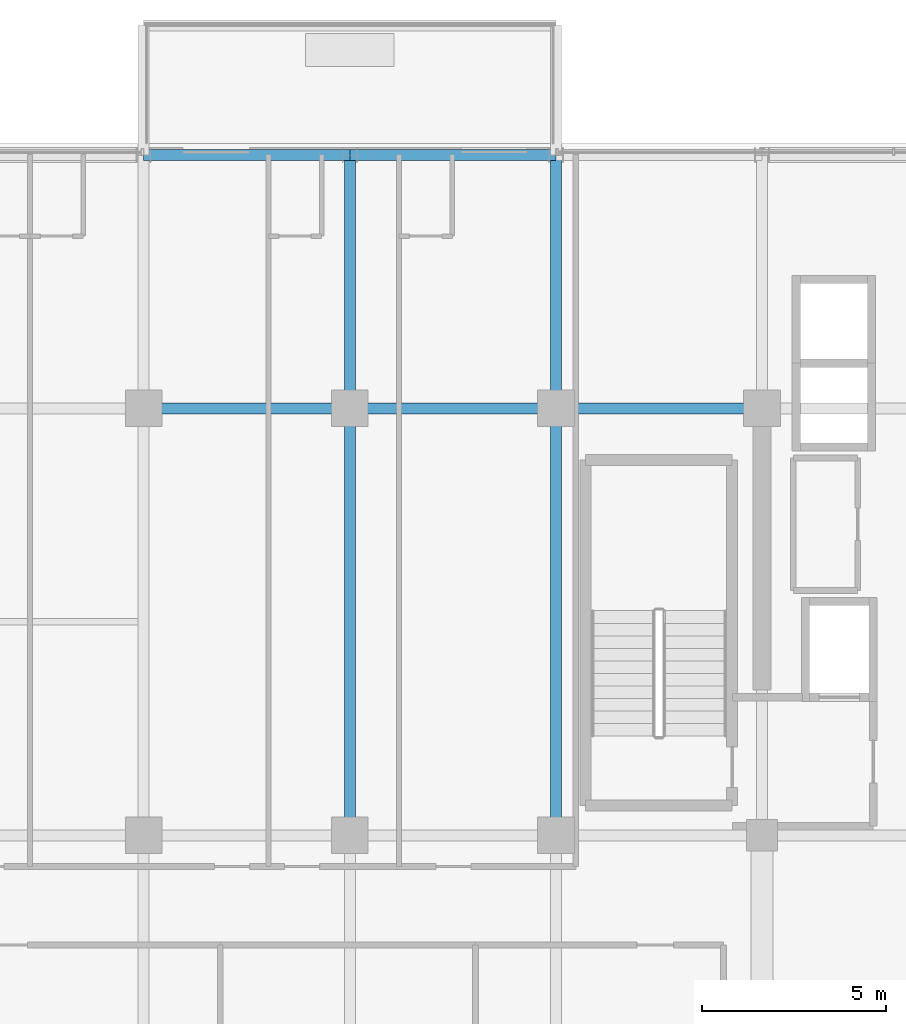
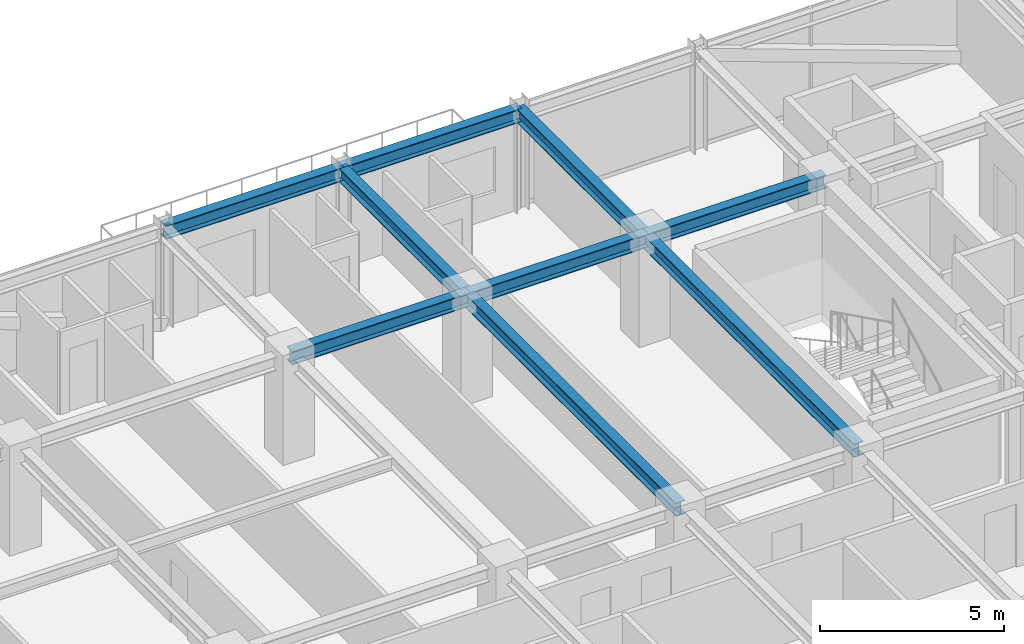
# One storey, part 22 of 43: 9 beams.
"""IFC4 building model written with IfcOpenShell, lengths in metres."""

import ifcopenshell
import ifcopenshell.guid

model = None  # the IFC model being written
_history = None  # IfcOwnerHistory: only IFC2X3 demands one
_inside = {}  # id of a spatial element -> (the spatial element, [elements in it])
_under = {}  # id of a project, library or spatial element -> (it, [spatial elements below it])
_declared = {}  # id of a project -> (the project, [libraries it declares])
_typed = {}  # id of a type object -> (the type object, [elements of that type])
_made_of = {}  # id of a material, layer set ... -> (it, [elements and type objects made of it])


def new_model(schema):
    """Start an empty IFC model of exactly this schema.

    Asked for "IFC4X3", IfcOpenShell would pick the latest addendum, in which some entities
    have other attributes; the version numbers below select the first issue.
    IFC2X3 requires an IfcOwnerHistory on every rooted entity: one is made here for all.
    """
    global model, _history
    if schema == "IFC4X3":
        model = ifcopenshell.file(schema_version=(4, 3, 0, 0))
    else:
        model = ifcopenshell.file(schema=schema)
    _inside.clear()
    _under.clear()
    _declared.clear()
    _typed.clear()
    _made_of.clear()
    _history = None
    if model.schema == "IFC2X3":
        org = make("IfcOrganization", Name="unknown")
        user = make(
            "IfcPersonAndOrganization",
            ThePerson=make("IfcPerson", FamilyName="unknown"),
            TheOrganization=org,
        )
        app = make(
            "IfcApplication",
            ApplicationDeveloper=org,
            Version="unknown",
            ApplicationFullName="unknown",
            ApplicationIdentifier="unknown",
        )
        _history = make(
            "IfcOwnerHistory",
            OwningUser=user,
            OwningApplication=app,
            ChangeAction="ADDED",
            CreationDate=0,
        )
    return model


def make(cls, **values):
    """One entity of the class cls with the attributes given. An attribute that is None is left unset."""
    return model.create_entity(
        cls, **{name: value for name, value in values.items() if value is not None}
    )


def rooted(cls, **values):
    """An entity with a GlobalId (a new one), such as an element, a storey or a relation."""
    return make(cls, GlobalId=ifcopenshell.guid.new(), OwnerHistory=_history, **values)


def si_unit(unit_type, name, prefix=None):
    """IfcSIUnit, for example si_unit("LENGTHUNIT", "METRE", prefix="MILLI")."""
    return make("IfcSIUnit", UnitType=unit_type, Prefix=prefix, Name=name)


def assignment(units):
    """IfcUnitAssignment: the units of a project."""
    return None if units is None else make("IfcUnitAssignment", Units=units)


def point(xyz):
    """IfcCartesianPoint."""
    return None if xyz is None else make("IfcCartesianPoint", Coordinates=xyz)


def direction(xyz):
    """IfcDirection."""
    return None if xyz is None else make("IfcDirection", DirectionRatios=xyz)


def frame(location, z_axis=None, x_axis=None):
    """IfcAxis2Placement3D, a coordinate frame: its origin and axes. An axis left out is left unset."""
    return make(
        "IfcAxis2Placement3D",
        Location=point(location),
        Axis=direction(z_axis),
        RefDirection=direction(x_axis),
    )


def frame_2d(location, x_axis=None):
    """IfcAxis2Placement2D, a coordinate frame in the plane: its origin and x axis."""
    return make(
        "IfcAxis2Placement2D", Location=point(location), RefDirection=direction(x_axis)
    )


def origin():
    """The frame at (0, 0, 0) with its axes left unset."""
    return frame((0.0, 0.0, 0.0))


def origin_2d():
    """The frame at (0, 0) in the plane with its x axis left unset."""
    return frame_2d((0.0, 0.0))


def place(relative_to, where):
    """IfcLocalPlacement: puts the frame where relative to a parent placement (None: the world)."""
    return make(
        "IfcLocalPlacement", PlacementRelTo=relative_to, RelativePlacement=where
    )


def context(
    kind, dimensions, precision=None, world=None, true_north=None, identifier=None
):
    """IfcGeometricRepresentationContext, for example the 3D "Model" context."""
    return make(
        "IfcGeometricRepresentationContext",
        ContextIdentifier=identifier,
        ContextType=kind,
        CoordinateSpaceDimension=dimensions,
        Precision=precision,
        WorldCoordinateSystem=world,
        TrueNorth=true_north,
    )


def subcontext(parent, identifier, kind, view, scale=None):
    """IfcGeometricRepresentationSubContext, for example "Body" below "Model"."""
    return make(
        "IfcGeometricRepresentationSubContext",
        ContextIdentifier=identifier,
        ContextType=kind,
        ParentContext=parent,
        TargetScale=scale,
        TargetView=view,
    )


def project(units=None, contexts=None):
    """IfcProject with its units and contexts."""
    return rooted(
        "IfcProject",
        Name="project",
        RepresentationContexts=contexts,
        UnitsInContext=assignment(units),
    )


def spatial(cls, under=None, at=None, **own):
    """A site, building, storey or space (cls), placed at a placement, below another one or the project."""
    s = rooted(cls, ObjectPlacement=at, **own)
    if under is not None:
        _under.setdefault(under.id(), (under, []))[1].append(s)
    return s


def profile(cls, at=None, kind="AREA", **sizes):
    """A parametric profile (cls). Its sizes go by their IFC names, for example OverallWidth=200.0."""
    return make(cls, ProfileType=kind, Position=at, **sizes)


def i_section(**sizes):
    """IfcIShapeProfileDef."""
    return profile("IfcIShapeProfileDef", **sizes)


def extrude(swept, where, along, depth):
    """IfcExtrudedAreaSolid: the profile swept, set in the frame where, extruded along a direction by depth."""
    return make(
        "IfcExtrudedAreaSolid",
        SweptArea=swept,
        Position=where,
        ExtrudedDirection=direction(along),
        Depth=depth,
    )


def shape(context_of_items, identifier, shape_type, items):
    """IfcShapeRepresentation: the items that make up one representation, for example the "Body"."""
    return make(
        "IfcShapeRepresentation",
        ContextOfItems=context_of_items,
        RepresentationIdentifier=identifier,
        RepresentationType=shape_type,
        Items=items,
    )


def source(mapping_origin, context_of_items, identifier, shape_type, items):
    """IfcRepresentationMap: a shape defined once, which mapped items show again and again."""
    return make(
        "IfcRepresentationMap",
        MappingOrigin=mapping_origin,
        MappedRepresentation=shape(context_of_items, identifier, shape_type, items),
    )


def transform(
    local_origin,
    x_axis=None,
    y_axis=None,
    z_axis=None,
    scale=None,
    scale2=None,
    scale3=None,
    uniform=True,
):
    """IfcCartesianTransformationOperator3D, or its non-uniform kind. x_axis, y_axis, z_axis: its Axis1, 2, 3."""
    if uniform:
        return make(
            "IfcCartesianTransformationOperator3D",
            Axis1=direction(x_axis),
            Axis2=direction(y_axis),
            LocalOrigin=point(local_origin),
            Scale=scale,
            Axis3=direction(z_axis),
        )
    return make(
        "IfcCartesianTransformationOperator3DnonUniform",
        Axis1=direction(x_axis),
        Axis2=direction(y_axis),
        LocalOrigin=point(local_origin),
        Scale=scale,
        Axis3=direction(z_axis),
        Scale2=scale2,
        Scale3=scale3,
    )


def mapped(mapping_source, mapping_target):
    """IfcMappedItem: shows the shape of a source again, moved by a transform."""
    return make(
        "IfcMappedItem", MappingSource=mapping_source, MappingTarget=mapping_target
    )


def material(Name=None, Category=None):
    """IfcMaterial."""
    return make("IfcMaterial", Name=Name, Category=Category)


def material_profile(
    of_material, cross_section, Name=None, Category=None, Priority=None
):
    """IfcMaterialProfile: a cross section and its material."""
    return make(
        "IfcMaterialProfile",
        Name=Name,
        Material=of_material,
        Profile=cross_section,
        Priority=Priority,
        Category=Category,
    )


def profile_set(profiles, Name=None, composite=None):
    """IfcMaterialProfileSet."""
    return make(
        "IfcMaterialProfileSet",
        Name=Name,
        MaterialProfiles=profiles,
        CompositeProfile=composite,
    )


def made_of(thing, what):
    """Note that an element or type object is made of a material, layer set ...; save() writes the relation."""
    if what is not None:
        _made_of.setdefault(what.id(), (what, []))[1].append(thing)
    return thing


def type_object(cls, material=None, **own):
    """A type object (cls), such as IfcWallType, which elements share."""
    return made_of(rooted(cls, **own), material)


def element(
    cls,
    number,
    at=None,
    inside=None,
    cuts=None,
    type_object=None,
    material=None,
    context=None,
    identifier="Body",
    shape_type=None,
    held_by="IfcProductDefinitionShape",
    body=None,
    shapes=None,
    **own,
):
    """One element of the class cls, such as IfcWall. Its Tag is "e" and its number.

    at: its placement. inside: the storey or other place that contains it. cuts: it is an
    opening in that element (IfcRelVoidsElement). A single representation is given by context,
    identifier, shape_type and body (its items); several are given by shapes. held_by: the class
    of the entity that holds the representations. save() writes the other relations.
    """
    e = rooted(cls, Tag="e%d" % number, ObjectPlacement=at, **own)
    if body is not None:
        shapes = [shape(context, identifier, shape_type, body)]
    if shapes is not None:
        e.Representation = make(held_by, Representations=shapes)
    if inside is not None:
        _inside.setdefault(inside.id(), (inside, []))[1].append(e)
    if cuts is not None:
        rooted(
            "IfcRelVoidsElement", RelatingBuildingElement=cuts, RelatedOpeningElement=e
        )
    if type_object is not None:
        _typed.setdefault(type_object.id(), (type_object, []))[1].append(e)
    return made_of(e, material)


def aggregate(whole, parts):
    """IfcRelAggregates: a whole, such as a stair, and the parts it consists of."""
    return rooted("IfcRelAggregates", RelatingObject=whole, RelatedObjects=parts)


def save(model, path):
    """Write the relations noted so far, then the file.

    IfcRelAggregates (storeys below a building ...), IfcRelContainedInSpatialStructure (elements
    in a storey), IfcRelDefinesByType, IfcRelAssociatesMaterial and IfcRelDeclares: one each for
    every whole, place, type object, material and project.
    """
    for whole, parts in _under.values():
        aggregate(whole, parts)
    for where, things in _inside.values():
        rooted(
            "IfcRelContainedInSpatialStructure",
            RelatedElements=things,
            RelatingStructure=where,
        )
    for kind, things in _typed.values():
        rooted("IfcRelDefinesByType", RelatedObjects=things, RelatingType=kind)
    for what, things in _made_of.values():
        rooted("IfcRelAssociatesMaterial", RelatedObjects=things, RelatingMaterial=what)
    for by, libraries in _declared.values():
        rooted("IfcRelDeclares", RelatingContext=by, RelatedDefinitions=libraries)
    model.write(path)


model = new_model("IFC4")

# Units and contexts
model_context = context("Model", 3, precision=1e-05, world=origin(), true_north=direction((0.0, 1.0)))
body_context = subcontext(model_context, "Body", "Model", "MODEL_VIEW")
ifc_project = project(units=[si_unit("LENGTHUNIT", "METRE"), si_unit("AREAUNIT", "SQUARE_METRE"), si_unit("VOLUMEUNIT", "CUBIC_METRE"), si_unit("PLANEANGLEUNIT", "RADIAN"), si_unit("MASSUNIT", "GRAM", prefix="KILO")], contexts=[model_context])

# Site, building, storey
site_placement = place(None, origin())
site = spatial("IfcSite", under=ifc_project, at=site_placement, CompositionType="ELEMENT")
building_placement = place(site_placement, origin())
building = spatial("IfcBuilding", under=site, at=building_placement, Name="Nahalor Promenade Grand Hotel", CompositionType="ELEMENT")
storey_placement = place(building_placement, frame((0.0, 0.0, 204.89990234375)))
storey = spatial("IfcBuildingStorey", under=building, at=storey_placement, Name="L52", CompositionType="ELEMENT", Elevation=204.89990234375)

# Beams
ifc_material = material(Name="Steel S355JR", Category="steel")
ifc_material_profile_1 = material_profile(ifc_material, i_section(OverallWidth=0.3, OverallDepth=0.45, WebThickness=0.014, FlangeThickness=0.026, at=origin_2d()), Name="HEB 450")
ifc_profile_set_1 = profile_set([ifc_material_profile_1], Name="Steel S355JR")
beam_type_1 = type_object("IfcBeamType", Name="Beam-Spandrel-HEB450", PredefinedType="SPANDREL", material=ifc_profile_set_1)
shared_shape_1 = source(origin(), body_context, "Body", "SweptSolid", [
    extrude(i_section(OverallWidth=0.3, OverallDepth=0.45, WebThickness=0.014, FlangeThickness=0.026, at=origin_2d()), origin(), (0.0, 0.0, 1.0), 5.599853515625),
])
beam_1_placement = place(storey_placement, frame((-8.39990234375, 23.8798828125, 3.18505859375), z_axis=(1.0, 0.0, 0.0), x_axis=(0.0, 1.0, 0.0)))
element("IfcBeam", 1, at=beam_1_placement, inside=storey, type_object=beam_type_1, Name="BM-L52-SP-N-1", PredefinedType="SPANDREL", context=body_context, shape_type="MappedRepresentation", body=[
    mapped(shared_shape_1, transform((0.0, 0.0, 0.0), scale=1.0)),
])
shared_shape_2 = source(origin(), body_context, "Body", "SweptSolid", [
    extrude(i_section(OverallWidth=0.3, OverallDepth=0.45, WebThickness=0.014, FlangeThickness=0.026, at=origin_2d()), origin(), (0.0, 0.0, 1.0), 5.60009765625),
])
beam_2_placement = place(storey_placement, frame((-2.800048828125, 23.8798828125, 3.18505859375), z_axis=(1.0, 0.0, 0.0), x_axis=(0.0, 1.0, 0.0)))
element("IfcBeam", 2, at=beam_2_placement, inside=storey, type_object=beam_type_1, Name="BM-L52-SP-N-2", PredefinedType="SPANDREL", context=body_context, shape_type="MappedRepresentation", body=[
    mapped(shared_shape_2, transform((0.0, 0.0, 0.0), scale=1.0)),
])
ifc_material_profile_2 = material_profile(ifc_material, i_section(OverallWidth=0.3, OverallDepth=0.45, WebThickness=0.014, FlangeThickness=0.026, at=origin_2d()), Name="HEB 450")
ifc_profile_set_2 = profile_set([ifc_material_profile_2], Name="Steel S355JR")
beam_type_2 = type_object("IfcBeamType", Name="Beam-Girder-HEB450", PredefinedType="BEAM", material=ifc_profile_set_2)
shared_shape_3 = source(origin(), body_context, "Body", "SweptSolid", [
    extrude(i_section(OverallWidth=0.3, OverallDepth=0.45, WebThickness=0.014, FlangeThickness=0.026, at=origin_2d()), origin(), (0.0, 0.0, 1.0), 6.8798828125),
])
for number, where, z_axis, x_axis, name in (
    (3, (-2.800048828125, 17.0, 3.18505859375), (0.0, 1.0, 0.0), (-1.0, 0.0, 0.0), "BM-L52-GY-2-4"),
    (4, (2.800048828125, 17.0, 3.18505859375), (0.0, 1.0, 0.0), (-1.0, 0.0, 0.0), "BM-L52-GY-3-4"),
):
    element("IfcBeam", number, at=place(storey_placement, frame(where, z_axis=z_axis, x_axis=x_axis)), inside=storey, type_object=beam_type_2, Name=name, PredefinedType="BEAM", context=body_context, shape_type="MappedRepresentation", body=[
        mapped(shared_shape_3, transform((0.0, 0.0, 0.0), scale=1.0)),
    ])
shared_shape_4 = source(origin(), body_context, "Body", "SweptSolid", [
    extrude(i_section(OverallWidth=0.3, OverallDepth=0.45, WebThickness=0.014, FlangeThickness=0.026, at=origin_2d()), origin(), (0.0, 0.0, 1.0), 5.599853515625),
])
for number, where, z_axis, x_axis, name in (
    (5, (-8.39990234375, 17.0, 3.18505859375), (1.0, 0.0, 0.0), (0.0, 1.0, 0.0), "BM-L52-GX-3-2"),
    (6, (2.800048828125, 17.0, 3.18505859375), (1.0, 0.0, 0.0), (0.0, 1.0, 0.0), "BM-L52-GX-3-4"),
):
    element("IfcBeam", number, at=place(storey_placement, frame(where, z_axis=z_axis, x_axis=x_axis)), inside=storey, type_object=beam_type_2, Name=name, PredefinedType="BEAM", context=body_context, shape_type="MappedRepresentation", body=[
        mapped(shared_shape_4, transform((0.0, 0.0, 0.0), scale=1.0)),
    ])
shared_shape_5 = source(origin(), body_context, "Body", "SweptSolid", [
    extrude(i_section(OverallWidth=0.3, OverallDepth=0.45, WebThickness=0.014, FlangeThickness=0.026, at=origin_2d()), origin(), (0.0, 0.0, 1.0), 5.60009765625),
])
beam_3_placement = place(storey_placement, frame((-2.800048828125, 17.0, 3.18505859375), z_axis=(1.0, 0.0, 0.0), x_axis=(0.0, 1.0, 0.0)))
element("IfcBeam", 7, at=beam_3_placement, inside=storey, type_object=beam_type_2, Name="BM-L52-GX-3-3", PredefinedType="BEAM", context=body_context, shape_type="MappedRepresentation", body=[
    mapped(shared_shape_5, transform((0.0, 0.0, 0.0), scale=1.0)),
])
shared_shape_6 = source(origin(), body_context, "Body", "SweptSolid", [
    extrude(i_section(OverallWidth=0.3, OverallDepth=0.45, WebThickness=0.014, FlangeThickness=0.026, at=origin_2d()), origin(), (0.0, 0.0, 1.0), 11.60009765625),
])
for number, where, z_axis, x_axis, name in (
    (8, (-2.800048828125, 5.39990234375, 3.18505859375), (0.0, 1.0, 0.0), (-1.0, 0.0, 0.0), "BM-L52-GY-2-3"),
    (9, (2.800048828125, 5.39990234375, 3.18505859375), (0.0, 1.0, 0.0), (-1.0, 0.0, 0.0), "BM-L52-GY-3-3"),
):
    element("IfcBeam", number, at=place(storey_placement, frame(where, z_axis=z_axis, x_axis=x_axis)), inside=storey, type_object=beam_type_2, Name=name, PredefinedType="BEAM", context=body_context, shape_type="MappedRepresentation", body=[
        mapped(shared_shape_6, transform((0.0, 0.0, 0.0), scale=1.0)),
    ])

save(model, "model.ifc")
